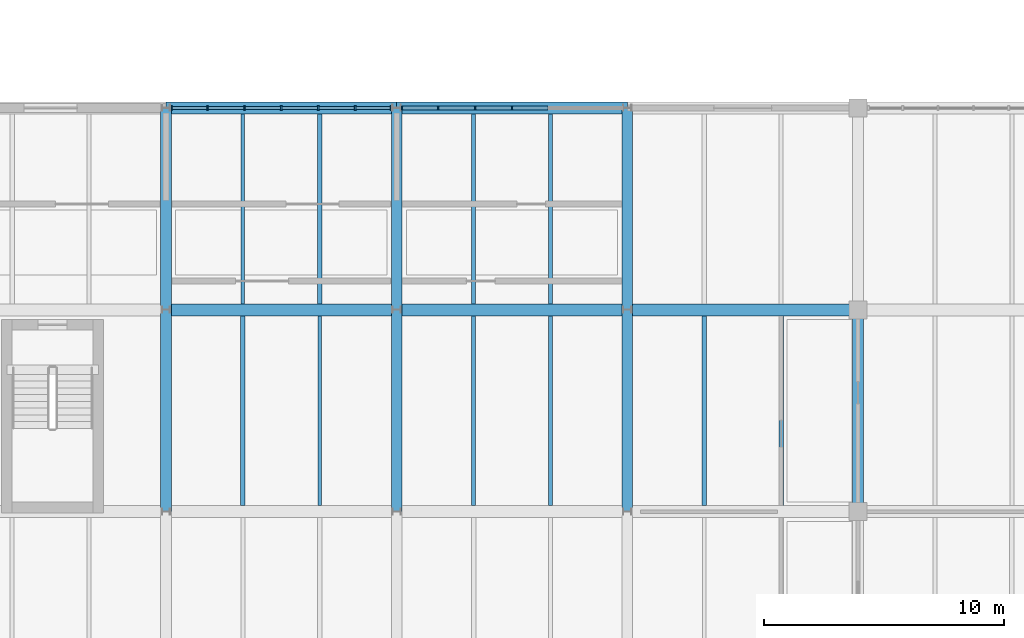
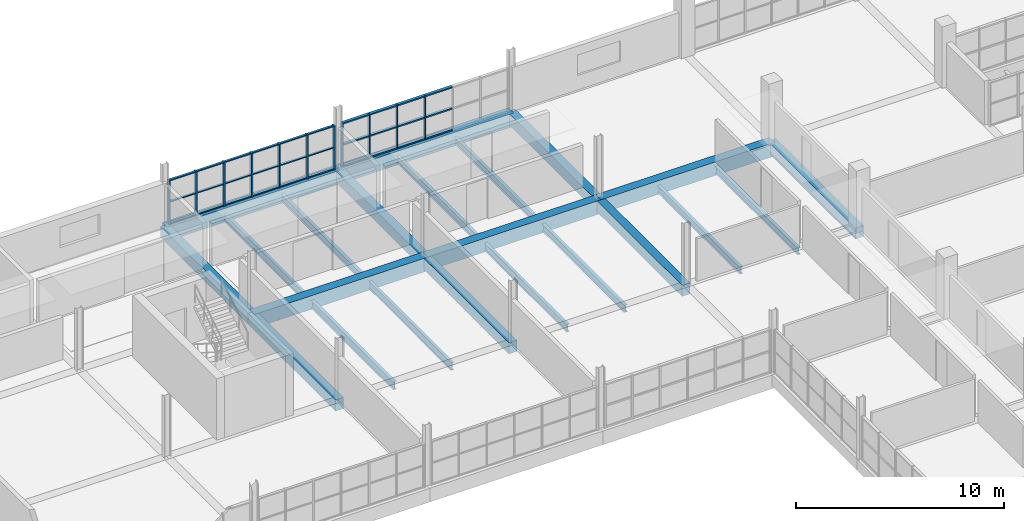
# One storey, part 49 of 147: 41 members, 22 beams, 2 elements without a shape of their own.
"""IFC4 building model written with IfcOpenShell, lengths in metres."""

import ifcopenshell
import ifcopenshell.guid

model = None  # the IFC model being written
_history = None  # IfcOwnerHistory: only IFC2X3 demands one
_inside = {}  # id of a spatial element -> (the spatial element, [elements in it])
_under = {}  # id of a project, library or spatial element -> (it, [spatial elements below it])
_declared = {}  # id of a project -> (the project, [libraries it declares])
_typed = {}  # id of a type object -> (the type object, [elements of that type])
_made_of = {}  # id of a material, layer set ... -> (it, [elements and type objects made of it])


def new_model(schema):
    """Start an empty IFC model of exactly this schema.

    Asked for "IFC4X3", IfcOpenShell would pick the latest addendum, in which some entities
    have other attributes; the version numbers below select the first issue.
    IFC2X3 requires an IfcOwnerHistory on every rooted entity: one is made here for all.
    """
    global model, _history
    if schema == "IFC4X3":
        model = ifcopenshell.file(schema_version=(4, 3, 0, 0))
    else:
        model = ifcopenshell.file(schema=schema)
    _inside.clear()
    _under.clear()
    _declared.clear()
    _typed.clear()
    _made_of.clear()
    _history = None
    if model.schema == "IFC2X3":
        org = make("IfcOrganization", Name="unknown")
        user = make(
            "IfcPersonAndOrganization",
            ThePerson=make("IfcPerson", FamilyName="unknown"),
            TheOrganization=org,
        )
        app = make(
            "IfcApplication",
            ApplicationDeveloper=org,
            Version="unknown",
            ApplicationFullName="unknown",
            ApplicationIdentifier="unknown",
        )
        _history = make(
            "IfcOwnerHistory",
            OwningUser=user,
            OwningApplication=app,
            ChangeAction="ADDED",
            CreationDate=0,
        )
    return model


def make(cls, **values):
    """One entity of the class cls with the attributes given. An attribute that is None is left unset."""
    return model.create_entity(
        cls, **{name: value for name, value in values.items() if value is not None}
    )


def rooted(cls, **values):
    """An entity with a GlobalId (a new one), such as an element, a storey or a relation."""
    return make(cls, GlobalId=ifcopenshell.guid.new(), OwnerHistory=_history, **values)


def si_unit(unit_type, name, prefix=None):
    """IfcSIUnit, for example si_unit("LENGTHUNIT", "METRE", prefix="MILLI")."""
    return make("IfcSIUnit", UnitType=unit_type, Prefix=prefix, Name=name)


def assignment(units):
    """IfcUnitAssignment: the units of a project."""
    return None if units is None else make("IfcUnitAssignment", Units=units)


def point(xyz):
    """IfcCartesianPoint."""
    return None if xyz is None else make("IfcCartesianPoint", Coordinates=xyz)


def direction(xyz):
    """IfcDirection."""
    return None if xyz is None else make("IfcDirection", DirectionRatios=xyz)


def frame(location, z_axis=None, x_axis=None):
    """IfcAxis2Placement3D, a coordinate frame: its origin and axes. An axis left out is left unset."""
    return make(
        "IfcAxis2Placement3D",
        Location=point(location),
        Axis=direction(z_axis),
        RefDirection=direction(x_axis),
    )


def frame_2d(location, x_axis=None):
    """IfcAxis2Placement2D, a coordinate frame in the plane: its origin and x axis."""
    return make(
        "IfcAxis2Placement2D", Location=point(location), RefDirection=direction(x_axis)
    )


def origin():
    """The frame at (0, 0, 0) with its axes left unset."""
    return frame((0.0, 0.0, 0.0))


def origin_2d():
    """The frame at (0, 0) in the plane with its x axis left unset."""
    return frame_2d((0.0, 0.0))


def place(relative_to, where):
    """IfcLocalPlacement: puts the frame where relative to a parent placement (None: the world)."""
    return make(
        "IfcLocalPlacement", PlacementRelTo=relative_to, RelativePlacement=where
    )


def context(
    kind, dimensions, precision=None, world=None, true_north=None, identifier=None
):
    """IfcGeometricRepresentationContext, for example the 3D "Model" context."""
    return make(
        "IfcGeometricRepresentationContext",
        ContextIdentifier=identifier,
        ContextType=kind,
        CoordinateSpaceDimension=dimensions,
        Precision=precision,
        WorldCoordinateSystem=world,
        TrueNorth=true_north,
    )


def subcontext(parent, identifier, kind, view, scale=None):
    """IfcGeometricRepresentationSubContext, for example "Body" below "Model"."""
    return make(
        "IfcGeometricRepresentationSubContext",
        ContextIdentifier=identifier,
        ContextType=kind,
        ParentContext=parent,
        TargetScale=scale,
        TargetView=view,
    )


def project(units=None, contexts=None):
    """IfcProject with its units and contexts."""
    return rooted(
        "IfcProject",
        Name="project",
        RepresentationContexts=contexts,
        UnitsInContext=assignment(units),
    )


def spatial(cls, under=None, at=None, **own):
    """A site, building, storey or space (cls), placed at a placement, below another one or the project."""
    s = rooted(cls, ObjectPlacement=at, **own)
    if under is not None:
        _under.setdefault(under.id(), (under, []))[1].append(s)
    return s


def profile(cls, at=None, kind="AREA", **sizes):
    """A parametric profile (cls). Its sizes go by their IFC names, for example OverallWidth=200.0."""
    return make(cls, ProfileType=kind, Position=at, **sizes)


def rectangle(**sizes):
    """IfcRectangleProfileDef."""
    return profile("IfcRectangleProfileDef", **sizes)


def i_section(**sizes):
    """IfcIShapeProfileDef."""
    return profile("IfcIShapeProfileDef", **sizes)


def extrude(swept, where, along, depth):
    """IfcExtrudedAreaSolid: the profile swept, set in the frame where, extruded along a direction by depth."""
    return make(
        "IfcExtrudedAreaSolid",
        SweptArea=swept,
        Position=where,
        ExtrudedDirection=direction(along),
        Depth=depth,
    )


def shape(context_of_items, identifier, shape_type, items):
    """IfcShapeRepresentation: the items that make up one representation, for example the "Body"."""
    return make(
        "IfcShapeRepresentation",
        ContextOfItems=context_of_items,
        RepresentationIdentifier=identifier,
        RepresentationType=shape_type,
        Items=items,
    )


def material(Name=None, Category=None):
    """IfcMaterial."""
    return make("IfcMaterial", Name=Name, Category=Category)


def material_profile(
    of_material, cross_section, Name=None, Category=None, Priority=None
):
    """IfcMaterialProfile: a cross section and its material."""
    return make(
        "IfcMaterialProfile",
        Name=Name,
        Material=of_material,
        Profile=cross_section,
        Priority=Priority,
        Category=Category,
    )


def profile_set(profiles, Name=None, composite=None):
    """IfcMaterialProfileSet."""
    return make(
        "IfcMaterialProfileSet",
        Name=Name,
        MaterialProfiles=profiles,
        CompositeProfile=composite,
    )


def made_of(thing, what):
    """Note that an element or type object is made of a material, layer set ...; save() writes the relation."""
    if what is not None:
        _made_of.setdefault(what.id(), (what, []))[1].append(thing)
    return thing


def type_object(cls, material=None, **own):
    """A type object (cls), such as IfcWallType, which elements share."""
    return made_of(rooted(cls, **own), material)


def element(
    cls,
    number,
    at=None,
    inside=None,
    cuts=None,
    type_object=None,
    material=None,
    context=None,
    identifier="Body",
    shape_type=None,
    held_by="IfcProductDefinitionShape",
    body=None,
    shapes=None,
    **own,
):
    """One element of the class cls, such as IfcWall. Its Tag is "e" and its number.

    at: its placement. inside: the storey or other place that contains it. cuts: it is an
    opening in that element (IfcRelVoidsElement). A single representation is given by context,
    identifier, shape_type and body (its items); several are given by shapes. held_by: the class
    of the entity that holds the representations. save() writes the other relations.
    """
    e = rooted(cls, Tag="e%d" % number, ObjectPlacement=at, **own)
    if body is not None:
        shapes = [shape(context, identifier, shape_type, body)]
    if shapes is not None:
        e.Representation = make(held_by, Representations=shapes)
    if inside is not None:
        _inside.setdefault(inside.id(), (inside, []))[1].append(e)
    if cuts is not None:
        rooted(
            "IfcRelVoidsElement", RelatingBuildingElement=cuts, RelatedOpeningElement=e
        )
    if type_object is not None:
        _typed.setdefault(type_object.id(), (type_object, []))[1].append(e)
    return made_of(e, material)


def aggregate(whole, parts):
    """IfcRelAggregates: a whole, such as a stair, and the parts it consists of."""
    return rooted("IfcRelAggregates", RelatingObject=whole, RelatedObjects=parts)


def save(model, path):
    """Write the relations noted so far, then the file.

    IfcRelAggregates (storeys below a building ...), IfcRelContainedInSpatialStructure (elements
    in a storey), IfcRelDefinesByType, IfcRelAssociatesMaterial and IfcRelDeclares: one each for
    every whole, place, type object, material and project.
    """
    for whole, parts in _under.values():
        aggregate(whole, parts)
    for where, things in _inside.values():
        rooted(
            "IfcRelContainedInSpatialStructure",
            RelatedElements=things,
            RelatingStructure=where,
        )
    for kind, things in _typed.values():
        rooted("IfcRelDefinesByType", RelatedObjects=things, RelatingType=kind)
    for what, things in _made_of.values():
        rooted("IfcRelAssociatesMaterial", RelatedObjects=things, RelatingMaterial=what)
    for by, libraries in _declared.values():
        rooted("IfcRelDeclares", RelatingContext=by, RelatedDefinitions=libraries)
    model.write(path)


model = new_model("IFC4")

# Units and contexts
model_context = context("Model", 3, precision=1e-05, world=origin(), true_north=direction((0.0, 1.0)))
body_context = subcontext(model_context, "Body", "Model", "MODEL_VIEW")
ifc_project = project(units=[si_unit("LENGTHUNIT", "METRE"), si_unit("AREAUNIT", "SQUARE_METRE"), si_unit("VOLUMEUNIT", "CUBIC_METRE"), si_unit("PLANEANGLEUNIT", "RADIAN"), si_unit("MASSUNIT", "GRAM", prefix="KILO")], contexts=[model_context])

# Site, building, storey
site_placement = place(None, origin())
site = spatial("IfcSite", under=ifc_project, at=site_placement, CompositionType="ELEMENT")
building_placement = place(site_placement, origin())
building = spatial("IfcBuilding", under=site, at=building_placement, Name="Oolite Switchyard Hospital", CompositionType="ELEMENT")
storey_placement = place(building_placement, frame((0.0, 0.0, 9.89990234375)))
storey = spatial("IfcBuildingStorey", under=building, at=storey_placement, Name="L02", CompositionType="ELEMENT", Elevation=9.89990234375)

# Beams
ifc_material_1 = material(Name="Concrete C40/50", Category="concrete")
ifc_material_profile_1 = material_profile(ifc_material_1, rectangle(XDim=0.449951171875, YDim=0.64990234375, at=origin_2d()), Name="RCB450X650")
ifc_profile_set_1 = profile_set([ifc_material_profile_1], Name="Concrete C40/50")
beam_type_1 = type_object("IfcBeamType", Name="BM-RC450X650", PredefinedType="BEAM", material=ifc_profile_set_1)
beam_1_placement = place(storey_placement, frame((96.0, 92.39990234375, -0.324951171875), z_axis=(0.0, 1.0, 0.0), x_axis=(-1.0, 0.0, 0.0)))
element("IfcBeam", 1, at=beam_1_placement, inside=storey, type_object=beam_type_1, Name="L02 Y-Girder 1377", PredefinedType="BEAM", context=body_context, shape_type="SweptSolid", body=[
    extrude(rectangle(XDim=0.449951171875, YDim=0.64990234375, at=origin_2d()), origin(), (0.0, 0.0, 1.0), 8.400146484375),
])
beam_2_placement = place(storey_placement, frame((96.0, 100.800048828125, -0.324951171875), z_axis=(0.0, 1.0, 0.0), x_axis=(-1.0, 0.0, 0.0)))
element("IfcBeam", 2, at=beam_2_placement, inside=storey, type_object=beam_type_1, Name="L02 Y-Girder 1378", PredefinedType="BEAM", context=body_context, shape_type="SweptSolid", body=[
    extrude(rectangle(XDim=0.449951171875, YDim=0.64990234375, at=origin_2d()), origin(), (0.0, 0.0, 1.0), 8.39990234375),
])
beam_3_placement = place(storey_placement, frame((105.60009765625, 92.39990234375, -0.324951171875), z_axis=(0.0, 1.0, 0.0), x_axis=(-1.0, 0.0, 0.0)))
element("IfcBeam", 3, at=beam_3_placement, inside=storey, type_object=beam_type_1, Name="L02 Y-Girder 1380", PredefinedType="BEAM", context=body_context, shape_type="SweptSolid", body=[
    extrude(rectangle(XDim=0.449951171875, YDim=0.64990234375, at=origin_2d()), origin(), (0.0, 0.0, 1.0), 8.400146484375),
])
beam_4_placement = place(storey_placement, frame((105.60009765625, 100.800048828125, -0.324951171875), z_axis=(0.0, 1.0, 0.0), x_axis=(-1.0, 0.0, 0.0)))
element("IfcBeam", 4, at=beam_4_placement, inside=storey, type_object=beam_type_1, Name="L02 Y-Girder 1381", PredefinedType="BEAM", context=body_context, shape_type="SweptSolid", body=[
    extrude(rectangle(XDim=0.449951171875, YDim=0.64990234375, at=origin_2d()), origin(), (0.0, 0.0, 1.0), 8.39990234375),
])
beam_5_placement = place(storey_placement, frame((115.199951171875, 92.39990234375, -0.324951171875), z_axis=(0.0, 1.0, 0.0), x_axis=(-1.0, 0.0, 0.0)))
element("IfcBeam", 5, at=beam_5_placement, inside=storey, type_object=beam_type_1, Name="L02 Y-Girder 1389", PredefinedType="BEAM", context=body_context, shape_type="SweptSolid", body=[
    extrude(rectangle(XDim=0.449951171875, YDim=0.64990234375, at=origin_2d()), origin(), (0.0, 0.0, 1.0), 8.400146484375),
])
beam_6_placement = place(storey_placement, frame((115.199951171875, 100.800048828125, -0.324951171875), z_axis=(0.0, 1.0, 0.0), x_axis=(-1.0, 0.0, 0.0)))
element("IfcBeam", 6, at=beam_6_placement, inside=storey, type_object=beam_type_1, Name="L02 Y-Girder 1390", PredefinedType="BEAM", context=body_context, shape_type="SweptSolid", body=[
    extrude(rectangle(XDim=0.449951171875, YDim=0.64990234375, at=origin_2d()), origin(), (0.0, 0.0, 1.0), 8.39990234375),
])
beam_7_placement = place(storey_placement, frame((124.800048828125, 92.39990234375, -0.324951171875), z_axis=(0.0, 1.0, 0.0), x_axis=(-1.0, 0.0, 0.0)))
element("IfcBeam", 7, at=beam_7_placement, inside=storey, type_object=beam_type_1, Name="L02 Y-Girder 1398", PredefinedType="BEAM", context=body_context, shape_type="SweptSolid", body=[
    extrude(rectangle(XDim=0.449951171875, YDim=0.64990234375, at=origin_2d()), origin(), (0.0, 0.0, 1.0), 8.400146484375),
])
ifc_material_profile_2 = material_profile(ifc_material_1, rectangle(XDim=0.5, YDim=0.800048828125, at=origin_2d()), Name="RCB500X800")
ifc_profile_set_2 = profile_set([ifc_material_profile_2], Name="Concrete C40/50")
beam_type_2 = type_object("IfcBeamType", Name="BM-RC500X800", PredefinedType="BEAM", material=ifc_profile_set_2)
beam_8_placement = place(storey_placement, frame((96.0, 100.800048828125, -0.39990234375), z_axis=(1.0, 0.0, 0.0), x_axis=(0.0, 1.0, 0.0)))
element("IfcBeam", 8, at=beam_8_placement, inside=storey, type_object=beam_type_2, Name="L02 X-Girder 1170", PredefinedType="BEAM", context=body_context, shape_type="SweptSolid", body=[
    extrude(rectangle(XDim=0.5, YDim=0.800048828125, at=origin_2d()), origin(), (0.0, 0.0, 1.0), 9.60009765625),
])
beam_9_placement = place(storey_placement, frame((105.60009765625, 100.800048828125, -0.39990234375), z_axis=(1.0, 0.0, 0.0), x_axis=(0.0, 1.0, 0.0)))
element("IfcBeam", 9, at=beam_9_placement, inside=storey, type_object=beam_type_2, Name="L02 X-Girder 1171", PredefinedType="BEAM", context=body_context, shape_type="SweptSolid", body=[
    extrude(rectangle(XDim=0.5, YDim=0.800048828125, at=origin_2d()), origin(), (0.0, 0.0, 1.0), 9.599853515625),
])
for number, where, z_axis, x_axis, name in (
    (10, (115.199951171875, 100.800048828125, -0.39990234375), (1.0, 0.0, 0.0), (0.0, 1.0, 0.0), "L02 X-Girder 1172"),
    (11, (96.0, 109.199951171875, -0.39990234375), (1.0, 0.0, 0.0), (0.0, 1.0, 0.0), "L02 X-Girder 1191"),
):
    element("IfcBeam", number, at=place(storey_placement, frame(where, z_axis=z_axis, x_axis=x_axis)), inside=storey, type_object=beam_type_2, Name=name, PredefinedType="BEAM", context=body_context, shape_type="SweptSolid", body=[
        extrude(rectangle(XDim=0.5, YDim=0.800048828125, at=origin_2d()), origin(), (0.0, 0.0, 1.0), 9.60009765625),
    ])
beam_10_placement = place(storey_placement, frame((105.60009765625, 109.199951171875, -0.39990234375), z_axis=(1.0, 0.0, 0.0), x_axis=(0.0, 1.0, 0.0)))
element("IfcBeam", 12, at=beam_10_placement, inside=storey, type_object=beam_type_2, Name="L02 X-Girder 1192", PredefinedType="BEAM", context=body_context, shape_type="SweptSolid", body=[
    extrude(rectangle(XDim=0.5, YDim=0.800048828125, at=origin_2d()), origin(), (0.0, 0.0, 1.0), 9.599853515625),
])
ifc_material_2 = material(Name="Steel ASTM A992 Grade 50", Category="steel")
ifc_material_profile_3 = material_profile(ifc_material_2, i_section(OverallWidth=0.177978515625, OverallDepth=0.403076171875, WebThickness=0.008056640625, FlangeThickness=0.010986328125, at=origin_2d()), Name="W16X36")
ifc_profile_set_3 = profile_set([ifc_material_profile_3], Name="Steel ASTM A992 Grade 50")
beam_type_3 = type_object("IfcBeamType", Name="BM-W16X36", PredefinedType="JOIST", material=ifc_profile_set_3)
beam_11_placement = place(storey_placement, frame((112.0, 101.050048828125, -0.4609375), z_axis=(0.0, 1.0, 0.0), x_axis=(-1.0, 0.0, 0.0)))
element("IfcBeam", 13, at=beam_11_placement, inside=storey, type_object=beam_type_3, Name="L02 Secondary Steel Joist 1731", PredefinedType="JOIST", context=body_context, shape_type="SweptSolid", body=[
    extrude(i_section(OverallWidth=0.177978515625, OverallDepth=0.403076171875, WebThickness=0.008056640625, FlangeThickness=0.010986328125, at=origin_2d()), origin(), (0.0, 0.0, 1.0), 7.89990234375),
])
beam_12_placement = place(storey_placement, frame((121.60009765625, 92.64990234375, -0.4609375), z_axis=(0.0, 1.0, 0.0), x_axis=(-1.0, 0.0, 0.0)))
element("IfcBeam", 14, at=beam_12_placement, inside=storey, type_object=beam_type_3, Name="L02 Secondary Steel Joist 1747", PredefinedType="JOIST", context=body_context, shape_type="SweptSolid", body=[
    extrude(i_section(OverallWidth=0.177978515625, OverallDepth=0.403076171875, WebThickness=0.008056640625, FlangeThickness=0.010986328125, at=origin_2d()), origin(), (0.0, 0.0, 1.0), 7.900146484375),
])
ifc_material_profile_4 = material_profile(ifc_material_2, i_section(OverallWidth=0.179931640625, OverallDepth=0.4130859375, WebThickness=0.010009765625, FlangeThickness=0.01611328125, at=origin_2d()), Name="W16X50")
ifc_profile_set_4 = profile_set([ifc_material_profile_4], Name="Steel ASTM A992 Grade 50")
beam_type_4 = type_object("IfcBeamType", Name="BM-W16X50", PredefinedType="JOIST", material=ifc_profile_set_4)
beam_13_placement = place(storey_placement, frame((102.39990234375, 101.050048828125, -0.4658203125), z_axis=(0.0, 1.0, 0.0), x_axis=(-1.0, 0.0, 0.0)))
element("IfcBeam", 15, at=beam_13_placement, inside=storey, type_object=beam_type_4, Name="L02 Secondary Steel Joist 1725", PredefinedType="JOIST", context=body_context, shape_type="SweptSolid", body=[
    extrude(i_section(OverallWidth=0.179931640625, OverallDepth=0.4130859375, WebThickness=0.010009765625, FlangeThickness=0.01611328125, at=origin_2d()), origin(), (0.0, 0.0, 1.0), 7.89990234375),
])
beam_14_placement = place(storey_placement, frame((112.0, 92.64990234375, -0.4658203125), z_axis=(0.0, 1.0, 0.0), x_axis=(-1.0, 0.0, 0.0)))
element("IfcBeam", 16, at=beam_14_placement, inside=storey, type_object=beam_type_4, Name="L02 Secondary Steel Joist 1729", PredefinedType="JOIST", context=body_context, shape_type="SweptSolid", body=[
    extrude(i_section(OverallWidth=0.179931640625, OverallDepth=0.4130859375, WebThickness=0.010009765625, FlangeThickness=0.01611328125, at=origin_2d()), origin(), (0.0, 0.0, 1.0), 7.900146484375),
])
beam_15_placement = place(storey_placement, frame((108.800048828125, 101.050048828125, -0.4658203125), z_axis=(0.0, 1.0, 0.0), x_axis=(-1.0, 0.0, 0.0)))
element("IfcBeam", 17, at=beam_15_placement, inside=storey, type_object=beam_type_4, Name="L02 Secondary Steel Joist 1730", PredefinedType="JOIST", context=body_context, shape_type="SweptSolid", body=[
    extrude(i_section(OverallWidth=0.179931640625, OverallDepth=0.4130859375, WebThickness=0.010009765625, FlangeThickness=0.01611328125, at=origin_2d()), origin(), (0.0, 0.0, 1.0), 7.89990234375),
])
beam_16_placement = place(storey_placement, frame((118.39990234375, 92.64990234375, -0.4658203125), z_axis=(0.0, 1.0, 0.0), x_axis=(-1.0, 0.0, 0.0)))
element("IfcBeam", 18, at=beam_16_placement, inside=storey, type_object=beam_type_4, Name="L02 Secondary Steel Joist 1746", PredefinedType="JOIST", context=body_context, shape_type="SweptSolid", body=[
    extrude(i_section(OverallWidth=0.179931640625, OverallDepth=0.4130859375, WebThickness=0.010009765625, FlangeThickness=0.01611328125, at=origin_2d()), origin(), (0.0, 0.0, 1.0), 7.900146484375),
])
ifc_material_profile_5 = material_profile(ifc_material_2, i_section(OverallWidth=0.153076171875, OverallDepth=0.455078125, WebThickness=0.008056640625, FlangeThickness=0.012939453125, at=origin_2d()), Name="W18X40")
ifc_profile_set_5 = profile_set([ifc_material_profile_5], Name="Steel ASTM A992 Grade 50")
beam_type_5 = type_object("IfcBeamType", Name="BM-W18X40", PredefinedType="JOIST", material=ifc_profile_set_5)
beam_17_placement = place(storey_placement, frame((102.39990234375, 92.64990234375, -0.48681640625), z_axis=(0.0, 1.0, 0.0), x_axis=(-1.0, 0.0, 0.0)))
element("IfcBeam", 19, at=beam_17_placement, inside=storey, type_object=beam_type_5, Name="L02 Secondary Steel Joist 1723", PredefinedType="JOIST", context=body_context, shape_type="SweptSolid", body=[
    extrude(i_section(OverallWidth=0.153076171875, OverallDepth=0.455078125, WebThickness=0.008056640625, FlangeThickness=0.012939453125, at=origin_2d()), origin(), (0.0, 0.0, 1.0), 7.900146484375),
])
beam_18_placement = place(storey_placement, frame((99.199951171875, 101.050048828125, -0.48681640625), z_axis=(0.0, 1.0, 0.0), x_axis=(-1.0, 0.0, 0.0)))
element("IfcBeam", 20, at=beam_18_placement, inside=storey, type_object=beam_type_5, Name="L02 Secondary Steel Joist 1724", PredefinedType="JOIST", context=body_context, shape_type="SweptSolid", body=[
    extrude(i_section(OverallWidth=0.153076171875, OverallDepth=0.455078125, WebThickness=0.008056640625, FlangeThickness=0.012939453125, at=origin_2d()), origin(), (0.0, 0.0, 1.0), 7.89990234375),
])
beam_19_placement = place(storey_placement, frame((108.800048828125, 92.64990234375, -0.48681640625), z_axis=(0.0, 1.0, 0.0), x_axis=(-1.0, 0.0, 0.0)))
element("IfcBeam", 21, at=beam_19_placement, inside=storey, type_object=beam_type_5, Name="L02 Secondary Steel Joist 1728", PredefinedType="JOIST", context=body_context, shape_type="SweptSolid", body=[
    extrude(i_section(OverallWidth=0.153076171875, OverallDepth=0.455078125, WebThickness=0.008056640625, FlangeThickness=0.012939453125, at=origin_2d()), origin(), (0.0, 0.0, 1.0), 7.900146484375),
])
ifc_material_profile_6 = material_profile(ifc_material_2, i_section(OverallWidth=0.19091796875, OverallDepth=0.4599609375, WebThickness=0.010009765625, FlangeThickness=0.01611328125, at=origin_2d()), Name="W18X55")
ifc_profile_set_6 = profile_set([ifc_material_profile_6], Name="Steel ASTM A992 Grade 50")
beam_type_6 = type_object("IfcBeamType", Name="BM-W18X55", PredefinedType="JOIST", material=ifc_profile_set_6)
beam_20_placement = place(storey_placement, frame((99.199951171875, 92.64990234375, -0.489990234375), z_axis=(0.0, 1.0, 0.0), x_axis=(-1.0, 0.0, 0.0)))
element("IfcBeam", 22, at=beam_20_placement, inside=storey, type_object=beam_type_6, Name="L02 Secondary Steel Joist 1722", PredefinedType="JOIST", context=body_context, shape_type="SweptSolid", body=[
    extrude(i_section(OverallWidth=0.19091796875, OverallDepth=0.4599609375, WebThickness=0.010009765625, FlangeThickness=0.01611328125, at=origin_2d()), origin(), (0.0, 0.0, 1.0), 7.900146484375),
])

# Curtain wall, members
ifc_material_3 = material(Name="Thermally broken aluminum frame with laminated impact glazing", Category="aluminium")
curtain_wall_type = type_object("IfcCurtainWallType", Name="CW-UNIT-96X36", PredefinedType="USERDEFINED", material=ifc_material_3)
curtain_wall_1_placement = place(storey_placement, origin())
curtain_wall_1 = element("IfcCurtainWall", 23, at=curtain_wall_1_placement, inside=storey, type_object=curtain_wall_type, Name="L02 Unitised Curtain Wall 265", ObjectType="UNITISED", PredefinedType="USERDEFINED")
ifc_material_4 = material(Name="Aluminium 6063-T6", Category="aluminium")
ifc_material_profile_7 = material_profile(ifc_material_4, rectangle(XDim=0.159912109375, YDim=0.06005859375, at=origin_2d()), Name="CWM60X160")
ifc_profile_set_7 = profile_set([ifc_material_profile_7], Name="Aluminium 6063-T6")
member_type_1 = type_object("IfcMemberType", Name="CW-MUL-180", PredefinedType="MULLION", material=ifc_profile_set_7)
member_1_placement = place(storey_placement, frame((105.822998046875, 109.199951171875, 0.0), z_axis=(0.0, 0.0, 1.0), x_axis=(0.0, 1.0, 0.0)))
member_1 = element("IfcMember", 24, at=member_1_placement, type_object=member_type_1, Name="CW-03 mullion 1", PredefinedType="MULLION", context=body_context, shape_type="SweptSolid", body=[
    extrude(rectangle(XDim=0.159912109375, YDim=0.06005859375, at=origin_2d()), origin(), (0.0, 0.0, 1.0), 2.570068359375),
])
member_2_placement = place(storey_placement, frame((107.32861328125, 109.199951171875, 0.0), z_axis=(0.0, 0.0, 1.0), x_axis=(0.0, 1.0, 0.0)))
member_2 = element("IfcMember", 25, at=member_2_placement, type_object=member_type_1, Name="CW-03 mullion 2", PredefinedType="MULLION", context=body_context, shape_type="SweptSolid", body=[
    extrude(rectangle(XDim=0.159912109375, YDim=0.06005859375, at=origin_2d()), origin(), (0.0, 0.0, 1.0), 2.570068359375),
])
member_3_placement = place(storey_placement, frame((108.8642578125, 109.199951171875, 0.0), z_axis=(0.0, 0.0, 1.0), x_axis=(0.0, 1.0, 0.0)))
member_3 = element("IfcMember", 26, at=member_3_placement, type_object=member_type_1, Name="CW-03 mullion 3", PredefinedType="MULLION", context=body_context, shape_type="SweptSolid", body=[
    extrude(rectangle(XDim=0.159912109375, YDim=0.06005859375, at=origin_2d()), origin(), (0.0, 0.0, 1.0), 2.570068359375),
])
member_4_placement = place(storey_placement, frame((110.39990234375, 109.199951171875, 0.0), z_axis=(0.0, 0.0, 1.0), x_axis=(0.0, 1.0, 0.0)))
member_4 = element("IfcMember", 27, at=member_4_placement, type_object=member_type_1, Name="CW-03 mullion 4", PredefinedType="MULLION", context=body_context, shape_type="SweptSolid", body=[
    extrude(rectangle(XDim=0.159912109375, YDim=0.06005859375, at=origin_2d()), origin(), (0.0, 0.0, 1.0), 2.570068359375),
])

curtain_wall_2_placement = place(storey_placement, origin())
curtain_wall_2 = element("IfcCurtainWall", 28, at=curtain_wall_2_placement, inside=storey, type_object=curtain_wall_type, Name="L02 Unitised Curtain Wall 264", ObjectType="UNITISED", PredefinedType="USERDEFINED")
ifc_material_profile_8 = material_profile(ifc_material_4, rectangle(XDim=0.199951171875, YDim=0.074951171875, at=origin_2d()), Name="CWM75X200")
ifc_profile_set_8 = profile_set([ifc_material_profile_8], Name="Aluminium 6063-T6")
member_type_2 = type_object("IfcMemberType", Name="CW-MUL-260", PredefinedType="MULLION", material=ifc_profile_set_8)
member_5_placement = place(storey_placement, frame((96.23046875, 109.199951171875, 0.0), z_axis=(0.0, 0.0, 1.0), x_axis=(0.0, 1.0, 0.0)))
member_5 = element("IfcMember", 29, at=member_5_placement, type_object=member_type_2, Name="CW-03 mullion 1", PredefinedType="MULLION", context=body_context, shape_type="SweptSolid", body=[
    extrude(rectangle(XDim=0.199951171875, YDim=0.074951171875, at=origin_2d()), origin(), (0.0, 0.0, 1.0), 2.570068359375),
])
member_6_placement = place(storey_placement, frame((97.728759765625, 109.199951171875, 0.0), z_axis=(0.0, 0.0, 1.0), x_axis=(0.0, 1.0, 0.0)))
member_6 = element("IfcMember", 30, at=member_6_placement, type_object=member_type_2, Name="CW-03 mullion 2", PredefinedType="MULLION", context=body_context, shape_type="SweptSolid", body=[
    extrude(rectangle(XDim=0.199951171875, YDim=0.074951171875, at=origin_2d()), origin(), (0.0, 0.0, 1.0), 2.570068359375),
])
member_7_placement = place(storey_placement, frame((99.264404296875, 109.199951171875, 0.0), z_axis=(0.0, 0.0, 1.0), x_axis=(0.0, 1.0, 0.0)))
member_7 = element("IfcMember", 31, at=member_7_placement, type_object=member_type_2, Name="CW-03 mullion 3", PredefinedType="MULLION", context=body_context, shape_type="SweptSolid", body=[
    extrude(rectangle(XDim=0.199951171875, YDim=0.074951171875, at=origin_2d()), origin(), (0.0, 0.0, 1.0), 2.570068359375),
])
member_8_placement = place(storey_placement, frame((100.800048828125, 109.199951171875, 0.0), z_axis=(0.0, 0.0, 1.0), x_axis=(0.0, 1.0, 0.0)))
member_8 = element("IfcMember", 32, at=member_8_placement, type_object=member_type_2, Name="CW-03 mullion 4", PredefinedType="MULLION", context=body_context, shape_type="SweptSolid", body=[
    extrude(rectangle(XDim=0.199951171875, YDim=0.074951171875, at=origin_2d()), origin(), (0.0, 0.0, 1.0), 2.570068359375),
])
member_9_placement = place(storey_placement, frame((102.335693359375, 109.199951171875, 0.0), z_axis=(0.0, 0.0, 1.0), x_axis=(0.0, 1.0, 0.0)))
member_9 = element("IfcMember", 33, at=member_9_placement, type_object=member_type_2, Name="CW-03 mullion 5", PredefinedType="MULLION", context=body_context, shape_type="SweptSolid", body=[
    extrude(rectangle(XDim=0.199951171875, YDim=0.074951171875, at=origin_2d()), origin(), (0.0, 0.0, 1.0), 2.570068359375),
])
member_10_placement = place(storey_placement, frame((103.871337890625, 109.199951171875, 0.0), z_axis=(0.0, 0.0, 1.0), x_axis=(0.0, 1.0, 0.0)))
member_10 = element("IfcMember", 34, at=member_10_placement, type_object=member_type_2, Name="CW-03 mullion 6", PredefinedType="MULLION", context=body_context, shape_type="SweptSolid", body=[
    extrude(rectangle(XDim=0.199951171875, YDim=0.074951171875, at=origin_2d()), origin(), (0.0, 0.0, 1.0), 2.570068359375),
])
member_11_placement = place(storey_placement, frame((105.369384765625, 109.199951171875, 0.0), z_axis=(0.0, 0.0, 1.0), x_axis=(0.0, 1.0, 0.0)))
member_11 = element("IfcMember", 35, at=member_11_placement, type_object=member_type_2, Name="CW-03 mullion 7", PredefinedType="MULLION", context=body_context, shape_type="SweptSolid", body=[
    extrude(rectangle(XDim=0.199951171875, YDim=0.074951171875, at=origin_2d()), origin(), (0.0, 0.0, 1.0), 2.570068359375),
])
ifc_material_profile_9 = material_profile(ifc_material_4, rectangle(XDim=0.1201171875, YDim=0.06005859375, at=origin_2d()), Name="CWT60X120")
ifc_profile_set_9 = profile_set([ifc_material_profile_9], Name="Aluminium 6063-T6")
member_type_3 = type_object("IfcMemberType", Name="CW-TRN-150", PredefinedType="USERDEFINED", material=ifc_profile_set_9)
member_12_placement = place(storey_placement, frame((96.26806640625, 109.199951171875, 0.030029296875), z_axis=(1.0, 0.0, 0.0), x_axis=(0.0, 1.0, 0.0)))
member_12 = element("IfcMember", 36, at=member_12_placement, type_object=member_type_3, Name="CW-03 transom 1.1", ObjectType="TRANSOM", PredefinedType="USERDEFINED", context=body_context, shape_type="SweptSolid", body=[
    extrude(rectangle(XDim=0.1201171875, YDim=0.06005859375, at=origin_2d()), origin(), (0.0, 0.0, 1.0), 1.423095703125),
])
member_13_placement = place(storey_placement, frame((96.26806640625, 109.199951171875, 1.28515625), z_axis=(1.0, 0.0, 0.0), x_axis=(0.0, 1.0, 0.0)))
member_13 = element("IfcMember", 37, at=member_13_placement, type_object=member_type_3, Name="CW-03 transom 1.2", ObjectType="TRANSOM", PredefinedType="USERDEFINED", context=body_context, shape_type="SweptSolid", body=[
    extrude(rectangle(XDim=0.1201171875, YDim=0.06005859375, at=origin_2d()), origin(), (0.0, 0.0, 1.0), 1.423095703125),
])
member_14_placement = place(storey_placement, frame((96.26806640625, 109.199951171875, 2.5400390625), z_axis=(1.0, 0.0, 0.0), x_axis=(0.0, 1.0, 0.0)))
member_14 = element("IfcMember", 38, at=member_14_placement, type_object=member_type_3, Name="CW-03 transom 1.3", ObjectType="TRANSOM", PredefinedType="USERDEFINED", context=body_context, shape_type="SweptSolid", body=[
    extrude(rectangle(XDim=0.1201171875, YDim=0.06005859375, at=origin_2d()), origin(), (0.0, 0.0, 1.0), 1.423095703125),
])
member_15_placement = place(storey_placement, frame((97.76611328125, 109.199951171875, 0.030029296875), z_axis=(1.0, 0.0, 0.0), x_axis=(0.0, 1.0, 0.0)))
member_15 = element("IfcMember", 39, at=member_15_placement, type_object=member_type_3, Name="CW-03 transom 2.1", ObjectType="TRANSOM", PredefinedType="USERDEFINED", context=body_context, shape_type="SweptSolid", body=[
    extrude(rectangle(XDim=0.1201171875, YDim=0.06005859375, at=origin_2d()), origin(), (0.0, 0.0, 1.0), 1.460693359375),
])
member_16_placement = place(storey_placement, frame((97.76611328125, 109.199951171875, 1.28515625), z_axis=(1.0, 0.0, 0.0), x_axis=(0.0, 1.0, 0.0)))
member_16 = element("IfcMember", 40, at=member_16_placement, type_object=member_type_3, Name="CW-03 transom 2.2", ObjectType="TRANSOM", PredefinedType="USERDEFINED", context=body_context, shape_type="SweptSolid", body=[
    extrude(rectangle(XDim=0.1201171875, YDim=0.06005859375, at=origin_2d()), origin(), (0.0, 0.0, 1.0), 1.460693359375),
])
member_17_placement = place(storey_placement, frame((97.76611328125, 109.199951171875, 2.5400390625), z_axis=(1.0, 0.0, 0.0), x_axis=(0.0, 1.0, 0.0)))
member_17 = element("IfcMember", 41, at=member_17_placement, type_object=member_type_3, Name="CW-03 transom 2.3", ObjectType="TRANSOM", PredefinedType="USERDEFINED", context=body_context, shape_type="SweptSolid", body=[
    extrude(rectangle(XDim=0.1201171875, YDim=0.06005859375, at=origin_2d()), origin(), (0.0, 0.0, 1.0), 1.460693359375),
])
member_18_placement = place(storey_placement, frame((99.3017578125, 109.199951171875, 0.030029296875), z_axis=(1.0, 0.0, 0.0), x_axis=(0.0, 1.0, 0.0)))
member_18 = element("IfcMember", 42, at=member_18_placement, type_object=member_type_3, Name="CW-03 transom 3.1", ObjectType="TRANSOM", PredefinedType="USERDEFINED", context=body_context, shape_type="SweptSolid", body=[
    extrude(rectangle(XDim=0.1201171875, YDim=0.06005859375, at=origin_2d()), origin(), (0.0, 0.0, 1.0), 1.460693359375),
])
member_19_placement = place(storey_placement, frame((99.3017578125, 109.199951171875, 1.28515625), z_axis=(1.0, 0.0, 0.0), x_axis=(0.0, 1.0, 0.0)))
member_19 = element("IfcMember", 43, at=member_19_placement, type_object=member_type_3, Name="CW-03 transom 3.2", ObjectType="TRANSOM", PredefinedType="USERDEFINED", context=body_context, shape_type="SweptSolid", body=[
    extrude(rectangle(XDim=0.1201171875, YDim=0.06005859375, at=origin_2d()), origin(), (0.0, 0.0, 1.0), 1.460693359375),
])
member_20_placement = place(storey_placement, frame((99.3017578125, 109.199951171875, 2.5400390625), z_axis=(1.0, 0.0, 0.0), x_axis=(0.0, 1.0, 0.0)))
member_20 = element("IfcMember", 44, at=member_20_placement, type_object=member_type_3, Name="CW-03 transom 3.3", ObjectType="TRANSOM", PredefinedType="USERDEFINED", context=body_context, shape_type="SweptSolid", body=[
    extrude(rectangle(XDim=0.1201171875, YDim=0.06005859375, at=origin_2d()), origin(), (0.0, 0.0, 1.0), 1.460693359375),
])
member_21_placement = place(storey_placement, frame((100.83740234375, 109.199951171875, 0.030029296875), z_axis=(1.0, 0.0, 0.0), x_axis=(0.0, 1.0, 0.0)))
member_21 = element("IfcMember", 45, at=member_21_placement, type_object=member_type_3, Name="CW-03 transom 4.1", ObjectType="TRANSOM", PredefinedType="USERDEFINED", context=body_context, shape_type="SweptSolid", body=[
    extrude(rectangle(XDim=0.1201171875, YDim=0.06005859375, at=origin_2d()), origin(), (0.0, 0.0, 1.0), 1.460693359375),
])
member_22_placement = place(storey_placement, frame((100.83740234375, 109.199951171875, 1.28515625), z_axis=(1.0, 0.0, 0.0), x_axis=(0.0, 1.0, 0.0)))
member_22 = element("IfcMember", 46, at=member_22_placement, type_object=member_type_3, Name="CW-03 transom 4.2", ObjectType="TRANSOM", PredefinedType="USERDEFINED", context=body_context, shape_type="SweptSolid", body=[
    extrude(rectangle(XDim=0.1201171875, YDim=0.06005859375, at=origin_2d()), origin(), (0.0, 0.0, 1.0), 1.460693359375),
])
member_23_placement = place(storey_placement, frame((100.83740234375, 109.199951171875, 2.5400390625), z_axis=(1.0, 0.0, 0.0), x_axis=(0.0, 1.0, 0.0)))
member_23 = element("IfcMember", 47, at=member_23_placement, type_object=member_type_3, Name="CW-03 transom 4.3", ObjectType="TRANSOM", PredefinedType="USERDEFINED", context=body_context, shape_type="SweptSolid", body=[
    extrude(rectangle(XDim=0.1201171875, YDim=0.06005859375, at=origin_2d()), origin(), (0.0, 0.0, 1.0), 1.460693359375),
])
member_24_placement = place(storey_placement, frame((102.373046875, 109.199951171875, 0.030029296875), z_axis=(1.0, 0.0, 0.0), x_axis=(0.0, 1.0, 0.0)))
member_24 = element("IfcMember", 48, at=member_24_placement, type_object=member_type_3, Name="CW-03 transom 5.1", ObjectType="TRANSOM", PredefinedType="USERDEFINED", context=body_context, shape_type="SweptSolid", body=[
    extrude(rectangle(XDim=0.1201171875, YDim=0.06005859375, at=origin_2d()), origin(), (0.0, 0.0, 1.0), 1.460693359375),
])
member_25_placement = place(storey_placement, frame((102.373046875, 109.199951171875, 1.28515625), z_axis=(1.0, 0.0, 0.0), x_axis=(0.0, 1.0, 0.0)))
member_25 = element("IfcMember", 49, at=member_25_placement, type_object=member_type_3, Name="CW-03 transom 5.2", ObjectType="TRANSOM", PredefinedType="USERDEFINED", context=body_context, shape_type="SweptSolid", body=[
    extrude(rectangle(XDim=0.1201171875, YDim=0.06005859375, at=origin_2d()), origin(), (0.0, 0.0, 1.0), 1.460693359375),
])
member_26_placement = place(storey_placement, frame((102.373046875, 109.199951171875, 2.5400390625), z_axis=(1.0, 0.0, 0.0), x_axis=(0.0, 1.0, 0.0)))
member_26 = element("IfcMember", 50, at=member_26_placement, type_object=member_type_3, Name="CW-03 transom 5.3", ObjectType="TRANSOM", PredefinedType="USERDEFINED", context=body_context, shape_type="SweptSolid", body=[
    extrude(rectangle(XDim=0.1201171875, YDim=0.06005859375, at=origin_2d()), origin(), (0.0, 0.0, 1.0), 1.460693359375),
])
member_27_placement = place(storey_placement, frame((103.908935546875, 109.199951171875, 0.030029296875), z_axis=(1.0, 0.0, 0.0), x_axis=(0.0, 1.0, 0.0)))
member_27 = element("IfcMember", 51, at=member_27_placement, type_object=member_type_3, Name="CW-03 transom 6.1", ObjectType="TRANSOM", PredefinedType="USERDEFINED", context=body_context, shape_type="SweptSolid", body=[
    extrude(rectangle(XDim=0.1201171875, YDim=0.06005859375, at=origin_2d()), origin(), (0.0, 0.0, 1.0), 1.423095703125),
])
member_28_placement = place(storey_placement, frame((103.908935546875, 109.199951171875, 1.28515625), z_axis=(1.0, 0.0, 0.0), x_axis=(0.0, 1.0, 0.0)))
member_28 = element("IfcMember", 52, at=member_28_placement, type_object=member_type_3, Name="CW-03 transom 6.2", ObjectType="TRANSOM", PredefinedType="USERDEFINED", context=body_context, shape_type="SweptSolid", body=[
    extrude(rectangle(XDim=0.1201171875, YDim=0.06005859375, at=origin_2d()), origin(), (0.0, 0.0, 1.0), 1.423095703125),
])
member_29_placement = place(storey_placement, frame((103.908935546875, 109.199951171875, 2.5400390625), z_axis=(1.0, 0.0, 0.0), x_axis=(0.0, 1.0, 0.0)))
member_29 = element("IfcMember", 53, at=member_29_placement, type_object=member_type_3, Name="CW-03 transom 6.3", ObjectType="TRANSOM", PredefinedType="USERDEFINED", context=body_context, shape_type="SweptSolid", body=[
    extrude(rectangle(XDim=0.1201171875, YDim=0.06005859375, at=origin_2d()), origin(), (0.0, 0.0, 1.0), 1.423095703125),
])
aggregate(curtain_wall_2, [member_5, member_6, member_7, member_8, member_9, member_10, member_11, member_12, member_13, member_14, member_15, member_16, member_17, member_18, member_19, member_20, member_21, member_22, member_23, member_24, member_25, member_26, member_27, member_28, member_29])

# Member
ifc_material_profile_10 = material_profile(ifc_material_4, rectangle(XDim=0.159912109375, YDim=0.074951171875, at=origin_2d()), Name="CWT75X160")
ifc_profile_set_10 = profile_set([ifc_material_profile_10], Name="Aluminium 6063-T6")
member_type_4 = type_object("IfcMemberType", Name="CW-TRN-180", PredefinedType="USERDEFINED", material=ifc_profile_set_10)
member_30_placement = place(storey_placement, frame((105.85302734375, 109.199951171875, 0.03759765625), z_axis=(1.0, 0.0, 0.0), x_axis=(0.0, 1.0, 0.0)))
member_30 = element("IfcMember", 54, at=member_30_placement, type_object=member_type_4, Name="CW-03 transom 1.1", ObjectType="TRANSOM", PredefinedType="USERDEFINED", context=body_context, shape_type="SweptSolid", body=[
    extrude(rectangle(XDim=0.159912109375, YDim=0.074951171875, at=origin_2d()), origin(), (0.0, 0.0, 1.0), 1.445556640625),
])

member_31_placement = place(storey_placement, frame((105.85302734375, 109.199951171875, 1.28515625), z_axis=(1.0, 0.0, 0.0), x_axis=(0.0, 1.0, 0.0)))
member_31 = element("IfcMember", 55, at=member_31_placement, type_object=member_type_4, Name="CW-03 transom 1.2", ObjectType="TRANSOM", PredefinedType="USERDEFINED", context=body_context, shape_type="SweptSolid", body=[
    extrude(rectangle(XDim=0.159912109375, YDim=0.074951171875, at=origin_2d()), origin(), (0.0, 0.0, 1.0), 1.445556640625),
])

member_32_placement = place(storey_placement, frame((105.85302734375, 109.199951171875, 2.53271484375), z_axis=(1.0, 0.0, 0.0), x_axis=(0.0, 1.0, 0.0)))
member_32 = element("IfcMember", 56, at=member_32_placement, type_object=member_type_4, Name="CW-03 transom 1.3", ObjectType="TRANSOM", PredefinedType="USERDEFINED", context=body_context, shape_type="SweptSolid", body=[
    extrude(rectangle(XDim=0.159912109375, YDim=0.074951171875, at=origin_2d()), origin(), (0.0, 0.0, 1.0), 1.445556640625),
])

member_33_placement = place(storey_placement, frame((107.358642578125, 109.199951171875, 0.03759765625), z_axis=(1.0, 0.0, 0.0), x_axis=(0.0, 1.0, 0.0)))
member_33 = element("IfcMember", 57, at=member_33_placement, type_object=member_type_4, Name="CW-03 transom 2.1", ObjectType="TRANSOM", PredefinedType="USERDEFINED", context=body_context, shape_type="SweptSolid", body=[
    extrude(rectangle(XDim=0.159912109375, YDim=0.074951171875, at=origin_2d()), origin(), (0.0, 0.0, 1.0), 1.4755859375),
])

member_34_placement = place(storey_placement, frame((107.358642578125, 109.199951171875, 1.28515625), z_axis=(1.0, 0.0, 0.0), x_axis=(0.0, 1.0, 0.0)))
member_34 = element("IfcMember", 58, at=member_34_placement, type_object=member_type_4, Name="CW-03 transom 2.2", ObjectType="TRANSOM", PredefinedType="USERDEFINED", context=body_context, shape_type="SweptSolid", body=[
    extrude(rectangle(XDim=0.159912109375, YDim=0.074951171875, at=origin_2d()), origin(), (0.0, 0.0, 1.0), 1.4755859375),
])

member_35_placement = place(storey_placement, frame((107.358642578125, 109.199951171875, 2.53271484375), z_axis=(1.0, 0.0, 0.0), x_axis=(0.0, 1.0, 0.0)))
member_35 = element("IfcMember", 59, at=member_35_placement, type_object=member_type_4, Name="CW-03 transom 2.3", ObjectType="TRANSOM", PredefinedType="USERDEFINED", context=body_context, shape_type="SweptSolid", body=[
    extrude(rectangle(XDim=0.159912109375, YDim=0.074951171875, at=origin_2d()), origin(), (0.0, 0.0, 1.0), 1.4755859375),
])

member_36_placement = place(storey_placement, frame((108.894287109375, 109.199951171875, 0.03759765625), z_axis=(1.0, 0.0, 0.0), x_axis=(0.0, 1.0, 0.0)))
member_36 = element("IfcMember", 60, at=member_36_placement, type_object=member_type_4, Name="CW-03 transom 3.1", ObjectType="TRANSOM", PredefinedType="USERDEFINED", context=body_context, shape_type="SweptSolid", body=[
    extrude(rectangle(XDim=0.159912109375, YDim=0.074951171875, at=origin_2d()), origin(), (0.0, 0.0, 1.0), 1.475830078125),
])

member_37_placement = place(storey_placement, frame((108.894287109375, 109.199951171875, 1.28515625), z_axis=(1.0, 0.0, 0.0), x_axis=(0.0, 1.0, 0.0)))
member_37 = element("IfcMember", 61, at=member_37_placement, type_object=member_type_4, Name="CW-03 transom 3.2", ObjectType="TRANSOM", PredefinedType="USERDEFINED", context=body_context, shape_type="SweptSolid", body=[
    extrude(rectangle(XDim=0.159912109375, YDim=0.074951171875, at=origin_2d()), origin(), (0.0, 0.0, 1.0), 1.475830078125),
])

member_38_placement = place(storey_placement, frame((108.894287109375, 109.199951171875, 2.53271484375), z_axis=(1.0, 0.0, 0.0), x_axis=(0.0, 1.0, 0.0)))
member_38 = element("IfcMember", 62, at=member_38_placement, type_object=member_type_4, Name="CW-03 transom 3.3", ObjectType="TRANSOM", PredefinedType="USERDEFINED", context=body_context, shape_type="SweptSolid", body=[
    extrude(rectangle(XDim=0.159912109375, YDim=0.074951171875, at=origin_2d()), origin(), (0.0, 0.0, 1.0), 1.475830078125),
])

member_39_placement = place(storey_placement, frame((110.429931640625, 109.199951171875, 0.03759765625), z_axis=(1.0, 0.0, 0.0), x_axis=(0.0, 1.0, 0.0)))
member_39 = element("IfcMember", 63, at=member_39_placement, type_object=member_type_4, Name="CW-03 transom 4.1", ObjectType="TRANSOM", PredefinedType="USERDEFINED", context=body_context, shape_type="SweptSolid", body=[
    extrude(rectangle(XDim=0.159912109375, YDim=0.074951171875, at=origin_2d()), origin(), (0.0, 0.0, 1.0), 1.475830078125),
])

member_40_placement = place(storey_placement, frame((110.429931640625, 109.199951171875, 1.28515625), z_axis=(1.0, 0.0, 0.0), x_axis=(0.0, 1.0, 0.0)))
member_40 = element("IfcMember", 64, at=member_40_placement, type_object=member_type_4, Name="CW-03 transom 4.2", ObjectType="TRANSOM", PredefinedType="USERDEFINED", context=body_context, shape_type="SweptSolid", body=[
    extrude(rectangle(XDim=0.159912109375, YDim=0.074951171875, at=origin_2d()), origin(), (0.0, 0.0, 1.0), 1.475830078125),
])

member_41_placement = place(storey_placement, frame((110.429931640625, 109.199951171875, 2.53271484375), z_axis=(1.0, 0.0, 0.0), x_axis=(0.0, 1.0, 0.0)))
member_41 = element("IfcMember", 65, at=member_41_placement, type_object=member_type_4, Name="CW-03 transom 4.3", ObjectType="TRANSOM", PredefinedType="USERDEFINED", context=body_context, shape_type="SweptSolid", body=[
    extrude(rectangle(XDim=0.159912109375, YDim=0.074951171875, at=origin_2d()), origin(), (0.0, 0.0, 1.0), 1.475830078125),
])

aggregate(curtain_wall_1, [member_1, member_2, member_3, member_4, member_30, member_31, member_32, member_33, member_34, member_35, member_36, member_37, member_38, member_39, member_40, member_41])

save(model, "model.ifc")
